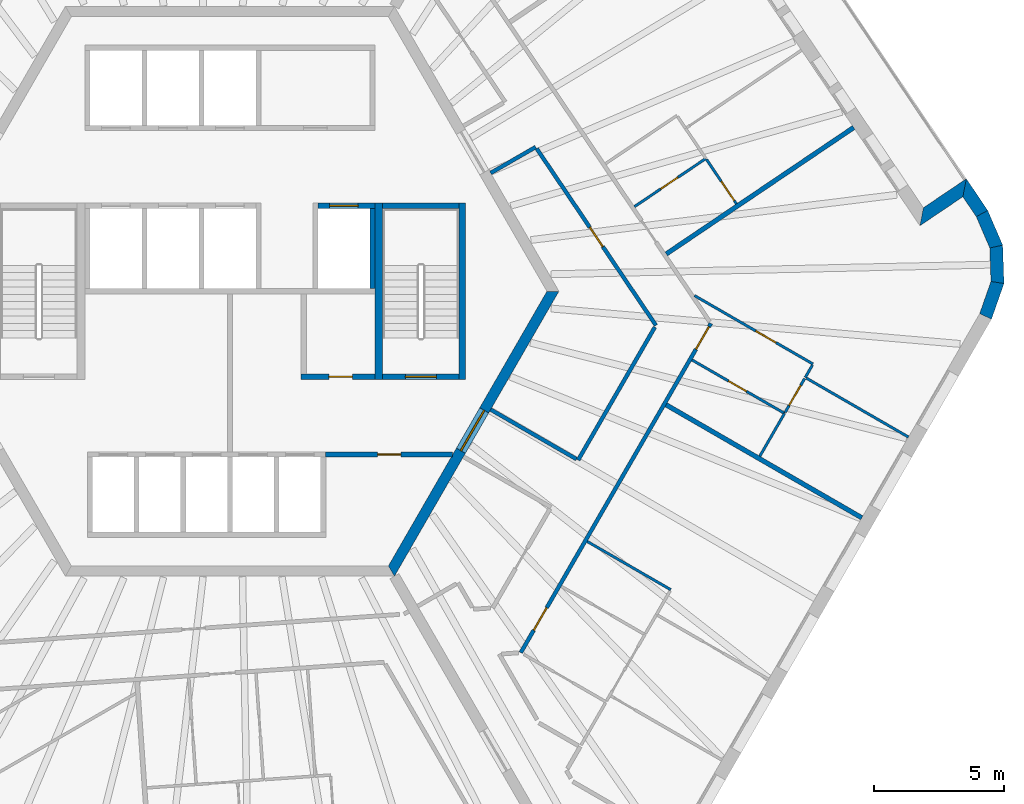
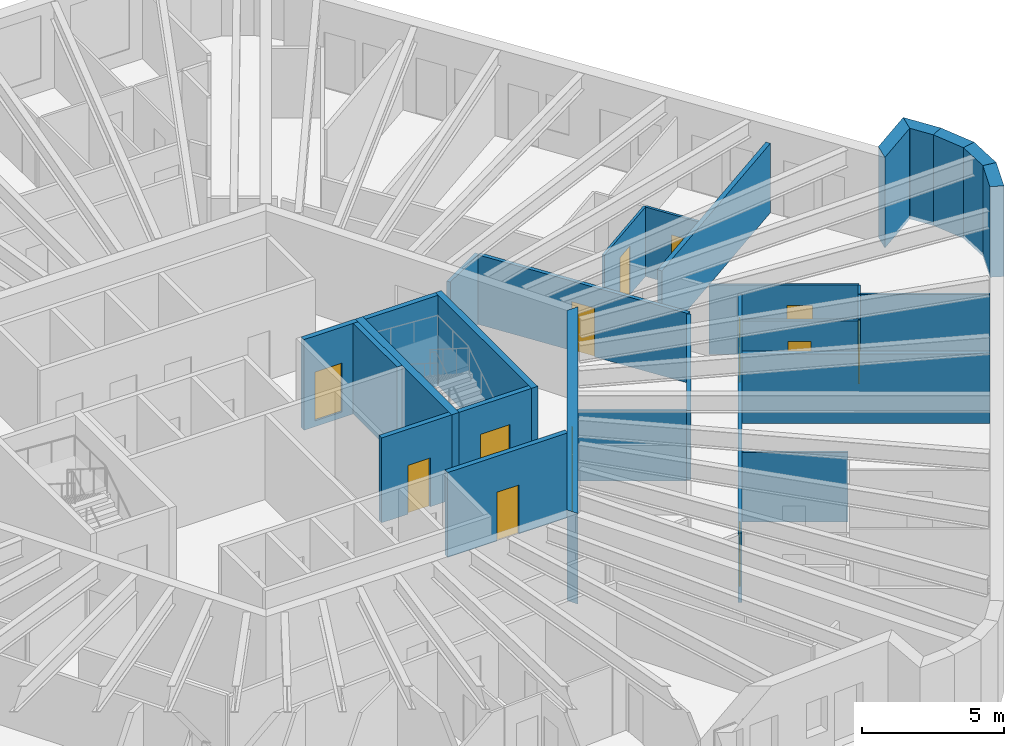
# One storey, part 7 of 12: 30 walls, 13 doors, 13 openings.
"""IFC4 building model written with IfcOpenShell, lengths in metres."""

from ifc_helpers import new_model, si_unit, direction, frame, frame_2d, origin, place, context, subcontext, project, spatial, polyline, rectangle, outline, extrude, material, layer, layer_set, type_object, element, fill, save


model = new_model("IFC4")

# Units and contexts
model_context = context("Model", 3, precision=1e-05, world=origin(), true_north=direction((0.0, 1.0)))
body_context = subcontext(model_context, "Body", "Model", "MODEL_VIEW")
ifc_project = project(units=[si_unit("LENGTHUNIT", "METRE"), si_unit("AREAUNIT", "SQUARE_METRE"), si_unit("VOLUMEUNIT", "CUBIC_METRE"), si_unit("PLANEANGLEUNIT", "RADIAN"), si_unit("MASSUNIT", "GRAM", prefix="KILO")], contexts=[model_context])

# Site, building, storey
site_placement = place(None, origin())
site = spatial("IfcSite", under=ifc_project, at=site_placement, CompositionType="ELEMENT")
building_placement = place(site_placement, origin())
building = spatial("IfcBuilding", under=site, at=building_placement, Name="Tarnside Tower", CompositionType="ELEMENT")
storey_placement = place(building_placement, frame((0.0, 0.0, 318.60009765625)))
storey = spatial("IfcBuildingStorey", under=building, at=storey_placement, Name="L77", CompositionType="ELEMENT", Elevation=318.60009765625)

# Wall
ifc_material_1 = material(Name="Gypsum board partition on steel studs", Category="steel")
ifc_layer_1 = layer(ifc_material_1, 0.10009765625)
ifc_layer_set_1 = layer_set([ifc_layer_1], Name="Bathroom wall 100")
wall_type_1 = type_object("IfcWallType", Name="Bathroom wall 100", PredefinedType="PARTITIONING", material=ifc_layer_set_1)
wall_1_placement = place(storey_placement, frame((13.7939453125, -9.657958984375, 0.0), z_axis=(0.0, 0.0, 1.0), x_axis=(0.866028424924, -0.499994767197, 0.0)))
element("IfcWall", 1, at=wall_1_placement, inside=storey, type_object=wall_type_1, Name="Bathroom wall 25146", PredefinedType="PARTITIONING", context=body_context, shape_type="SweptSolid", body=[
    extrude(rectangle(XDim=3.72509765625, YDim=0.10009765625, at=frame_2d((1.862548828125, 0.0))), origin(), (0.0, 0.0, 1.0), 2.98779296875),
])

# Wall, opening, door
wall_2_placement = place(storey_placement, frame((17.840087890625, -2.650146484375, 0.0), z_axis=(0.0, 0.0, 1.0), x_axis=(0.866019999656, -0.500009360108, 0.0)))
wall_2 = element("IfcWall", 2, at=wall_2_placement, inside=storey, type_object=wall_type_1, Name="Bathroom wall 25163", PredefinedType="PARTITIONING", context=body_context, shape_type="SweptSolid", body=[
    extrude(rectangle(XDim=4.125, YDim=0.10009765625, at=frame_2d((2.0625, 0.0))), origin(), (0.0, 0.0, 1.0), 2.98779296875),
])
opening_1_placement = place(wall_2_placement, frame((1.625, 0.0, 0.0)))
opening_1 = element("IfcOpeningElement", 3, at=opening_1_placement, cuts=wall_2, Name="Opening D-B1", PredefinedType="OPENING", context=body_context, shape_type="SweptSolid", body=[
    extrude(rectangle(XDim=0.800048828125, YDim=2.10009765625, at=frame_2d((0.39990234375, 1.050048828125))), frame((0.0, 0.06005859375, 0.0), z_axis=(0.0, -1.0, 0.0), x_axis=(1.0, 0.0, 0.0)), (0.0, 0.0, 1.0), 0.1201171875),
])
ifc_material_2 = material(Name="Timber door leaf", Category="wood")
door_type_1 = type_object("IfcDoorType", Name="Bathroom door 800", OperationType="NOTDEFINED", PredefinedType="DOOR", material=ifc_material_2)
door_1_placement = place(opening_1_placement, origin())
door_1 = element("IfcDoor", 4, at=door_1_placement, inside=storey, type_object=door_type_1, Name="Bathroom door 25058", OperationType="SINGLE_SWING_RIGHT", OverallHeight=2.10009765625, OverallWidth=0.800048828125, PredefinedType="DOOR", context=body_context, shape_type="SweptSolid", body=[
    extrude(rectangle(XDim=0.800048828125, YDim=2.10009765625, at=frame_2d((0.39990234375, 1.050048828125))), frame((0.0, 0.02490234375, 0.0), z_axis=(0.0, -1.0, 0.0), x_axis=(1.0, 0.0, 0.0)), (0.0, 0.0, 1.0), 0.050048828125),
])
fill(opening_1, door_1)

# Wall
wall_3_placement = place(storey_placement, frame((20.457275390625, -6.366943359375, 0.0), z_axis=(0.0, 0.0, 1.0), x_axis=(0.499984020225, 0.866034629516, 0.0)))
element("IfcWall", 5, at=wall_3_placement, inside=storey, type_object=wall_type_1, Name="Bathroom wall 25165", PredefinedType="PARTITIONING", context=body_context, shape_type="SweptSolid", body=[
    extrude(rectangle(XDim=1.912109375, YDim=0.10009765625, at=frame_2d((0.9560546875, 0.0))), origin(), (0.0, 0.0, 1.0), 2.98779296875),
])

# Wall, opening, door
wall_4_placement = place(storey_placement, frame((18.37451171875, 5.126708984375, 0.0), z_axis=(0.0, 0.0, 1.0), x_axis=(-0.82903334026, -0.559199178055, 0.0)))
wall_4 = element("IfcWall", 6, at=wall_4_placement, inside=storey, type_object=wall_type_1, Name="Bathroom wall 25170", PredefinedType="PARTITIONING", context=body_context, shape_type="SweptSolid", body=[
    extrude(rectangle(XDim=3.324951171875, YDim=0.10009765625, at=frame_2d((1.66259765625, 0.0))), origin(), (0.0, 0.0, 1.0), 2.98779296875),
])
opening_2_placement = place(wall_4_placement, frame((1.300048828125, 0.0, 0.0)))
opening_2 = element("IfcOpeningElement", 7, at=opening_2_placement, cuts=wall_4, Name="Opening D-B1", PredefinedType="OPENING", context=body_context, shape_type="SweptSolid", body=[
    extrude(rectangle(XDim=0.800048828125, YDim=2.10009765625, at=frame_2d((0.39990234375, 1.050048828125))), frame((0.0, 0.06005859375, 0.0), z_axis=(0.0, -1.0, 0.0), x_axis=(1.0, 0.0, 0.0)), (0.0, 0.0, 1.0), 0.1201171875),
])
door_2_placement = place(opening_2_placement, origin())
door_2 = element("IfcDoor", 8, at=door_2_placement, inside=storey, type_object=door_type_1, Name="Bathroom door 25062", OperationType="SINGLE_SWING_LEFT", OverallHeight=2.10009765625, OverallWidth=0.800048828125, PredefinedType="DOOR", context=body_context, shape_type="SweptSolid", body=[
    extrude(rectangle(XDim=0.800048828125, YDim=2.10009765625, at=frame_2d((0.39990234375, 1.050048828125))), frame((0.0, 0.02490234375, 0.0), z_axis=(0.0, -1.0, 0.0), x_axis=(1.0, 0.0, 0.0)), (0.0, 0.0, 1.0), 0.050048828125),
])
fill(opening_2, door_2)

ifc_material_3 = material(Name="Concrete C40/50", Category="concrete")
ifc_layer_2 = layer(ifc_material_3, 0.199951171875)
ifc_layer_set_2 = layer_set([ifc_layer_2], Name="Core room partition 200 C40/50")
wall_type_2 = type_object("IfcWallType", Name="Core room partition 200 C40/50", PredefinedType="PARTITIONING", material=ifc_layer_set_2)
wall_5_placement = place(storey_placement, frame((2.75, -3.300048828125, 0.0), z_axis=(0.0, 0.0, 1.0), x_axis=(1.0, 0.0, 0.0)))
wall_5 = element("IfcWall", 9, at=wall_5_placement, inside=storey, type_object=wall_type_2, Name="L77 core partition R3S1", PredefinedType="PARTITIONING", context=body_context, shape_type="SweptSolid", body=[
    extrude(rectangle(XDim=2.85009765625, YDim=0.199951171875, at=frame_2d((1.425048828125, 0.0))), origin(), (0.0, 0.0, 1.0), 3.64990234375),
])
opening_3_placement = place(wall_5_placement, frame((1.074951171875, 0.0, 0.0)))
opening_3 = element("IfcOpeningElement", 10, at=opening_3_placement, cuts=wall_5, Name="Opening CD-room", PredefinedType="OPENING", context=body_context, shape_type="SweptSolid", body=[
    extrude(rectangle(XDim=0.89990234375, YDim=2.10009765625, at=frame_2d((0.449951171875, 1.050048828125))), frame((0.0, 0.10986328125, 0.0), z_axis=(0.0, -1.0, 0.0), x_axis=(1.0, 0.0, 0.0)), (0.0, 0.0, 1.0), 0.219970703125),
])
ifc_material_4 = material(Name="Steel fire door", Category="steel")
door_type_2 = type_object("IfcDoorType", Name="Room door FD60 900x2100", OperationType="NOTDEFINED", PredefinedType="DOOR", material=ifc_material_4)
door_3_placement = place(opening_3_placement, origin())
door_3 = element("IfcDoor", 11, at=door_3_placement, inside=storey, type_object=door_type_2, Name="L77 core room door SR1", OperationType="SINGLE_SWING_LEFT", OverallHeight=2.10009765625, OverallWidth=0.89990234375, PredefinedType="DOOR", context=body_context, shape_type="SweptSolid", body=[
    extrude(rectangle(XDim=0.89990234375, YDim=2.10009765625, at=frame_2d((0.449951171875, 1.050048828125))), frame((0.0, 0.02490234375, 0.0), z_axis=(0.0, -1.0, 0.0), x_axis=(1.0, 0.0, 0.0)), (0.0, 0.0, 1.0), 0.050048828125),
])
fill(opening_3, door_3)

wall_6_placement = place(storey_placement, frame((3.699951171875, -6.300048828125, 0.0), z_axis=(0.0, 0.0, 1.0), x_axis=(1.0, 0.0, 0.0)))
wall_6 = element("IfcWall", 12, at=wall_6_placement, inside=storey, type_object=wall_type_2, Name="L77 core partition R4X", PredefinedType="PARTITIONING", context=body_context, shape_type="SweptSolid", body=[
    extrude(rectangle(XDim=4.902587890625, YDim=0.199951171875, at=frame_2d((2.451171875, 0.0))), origin(), (0.0, 0.0, 1.0), 3.64990234375),
])
opening_4_placement = place(wall_6_placement, frame((2.001220703125, 0.0, 0.0)))
opening_4 = element("IfcOpeningElement", 13, at=opening_4_placement, cuts=wall_6, Name="Opening CD-room", PredefinedType="OPENING", context=body_context, shape_type="SweptSolid", body=[
    extrude(rectangle(XDim=0.89990234375, YDim=2.10009765625, at=frame_2d((0.449951171875, 1.050048828125))), frame((0.0, 0.10986328125, 0.0), z_axis=(0.0, -1.0, 0.0), x_axis=(1.0, 0.0, 0.0)), (0.0, 0.0, 1.0), 0.219970703125),
])
door_4_placement = place(opening_4_placement, origin())
door_4 = element("IfcDoor", 14, at=door_4_placement, inside=storey, type_object=door_type_2, Name="L77 core room door RX", OperationType="SINGLE_SWING_LEFT", OverallHeight=2.10009765625, OverallWidth=0.89990234375, PredefinedType="DOOR", context=body_context, shape_type="SweptSolid", body=[
    extrude(rectangle(XDim=0.89990234375, YDim=2.10009765625, at=frame_2d((0.449951171875, 1.050048828125))), frame((0.0, 0.02490234375, 0.0), z_axis=(0.0, -1.0, 0.0), x_axis=(1.0, 0.0, 0.0)), (0.0, 0.0, 1.0), 0.050048828125),
])
fill(opening_4, door_4)

ifc_material_5 = material(Name="Concrete C60/75", Category="concrete")
ifc_layer_3 = layer(ifc_material_5, 0.39990234375)
ifc_layer_set_3 = layer_set([ifc_layer_3], Name="Core wall Z3 400 C60/75")
wall_type_3 = type_object("IfcWallType", Name="Core wall Z3 400 C60/75", PredefinedType="SHEAR", material=ifc_layer_set_3)
wall_7_placement = place(storey_placement, frame((6.2353515625, -10.800048828125, -0.150146484375), z_axis=(0.0, 0.0, 1.0), x_axis=(0.499996419489, 0.866027470984, 0.0)))
wall_7 = element("IfcWall", 15, at=wall_7_placement, inside=storey, type_object=wall_type_3, Name="L77 core wall face 5", PredefinedType="SHEAR", context=body_context, shape_type="SweptSolid", body=[
    extrude(outline(polyline([(-0.115478515625, -0.199951171875), (12.586181640625, -0.199951171875), (12.355224609375, 0.199951171875), (0.115478515625, 0.199951171875), (-0.115478515625, -0.199951171875)])), origin(), (0.0, 0.0, 1.0), 3.900146484375),
])
opening_5_placement = place(wall_7_placement, frame((5.3642578125, 0.0, 0.14990234375)))
opening_5 = element("IfcOpeningElement", 16, at=opening_5_placement, cuts=wall_7, Name="Opening CD-FFL", PredefinedType="OPENING", context=body_context, shape_type="SweptSolid", body=[
    extrude(rectangle(XDim=1.800048828125, YDim=2.39990234375, at=frame_2d((0.89990234375, 1.199951171875))), frame((0.0, 0.2099609375, 0.0), z_axis=(0.0, -1.0, 0.0), x_axis=(1.0, 0.0, 0.0)), (0.0, 0.0, 1.0), 0.419921875),
])
door_type_3 = type_object("IfcDoorType", Name="Firefighting lobby double door FD60S 1800x2400", OperationType="NOTDEFINED", PredefinedType="DOOR", material=ifc_material_4)
door_5_placement = place(opening_5_placement, origin())
door_5 = element("IfcDoor", 17, at=door_5_placement, inside=storey, type_object=door_type_3, Name="L77 core door P4", OperationType="DOUBLE_DOOR_SINGLE_SWING", OverallHeight=2.39990234375, OverallWidth=1.800048828125, PredefinedType="DOOR", context=body_context, shape_type="SweptSolid", body=[
    extrude(rectangle(XDim=1.800048828125, YDim=2.39990234375, at=frame_2d((0.89990234375, 1.199951171875))), frame((0.0, 0.02490234375, 0.0), z_axis=(0.0, -1.0, 0.0), x_axis=(1.0, 0.0, 0.0)), (0.0, 0.0, 1.0), 0.050048828125),
])
fill(opening_5, door_5)

# Wall, openings, doors
ifc_layer_4 = layer(ifc_material_1, 0.14990234375)
ifc_layer_set_4 = layer_set([ifc_layer_4], Name="Corridor wall 150 EI 60")
wall_type_4 = type_object("IfcWallType", Name="Corridor wall 150 EI 60", PredefinedType="PARTITIONING", material=ifc_layer_set_4)
wall_8_placement = place(storey_placement, frame((11.22900390625, -13.95068359375, 0.0), z_axis=(0.0, 0.0, 1.0), x_axis=(0.499997948852, 0.866026588012, 0.0)))
wall_8 = element("IfcWall", 18, at=wall_8_placement, inside=storey, type_object=wall_type_4, Name="Corridor wall 25053", PredefinedType="PARTITIONING", context=body_context, shape_type="SweptSolid", body=[
    extrude(rectangle(XDim=14.67724609375, YDim=0.14990234375, at=frame_2d((7.338623046875, 0.0))), origin(), (0.0, 0.0, 1.0), 2.98779296875),
])
opening_6_placement = place(wall_8_placement, frame((1.0, 0.0, 0.0)))
opening_6 = element("IfcOpeningElement", 19, at=opening_6_placement, cuts=wall_8, Name="Opening D-E1", PredefinedType="OPENING", context=body_context, shape_type="SweptSolid", body=[
    extrude(rectangle(XDim=1.0, YDim=2.10009765625, at=frame_2d((0.5, 1.050048828125))), frame((0.0, 0.0849609375, 0.0), z_axis=(0.0, -1.0, 0.0), x_axis=(1.0, 0.0, 0.0)), (0.0, 0.0, 1.0), 0.169921875),
])
opening_7_placement = place(wall_8_placement, frame((13.52734375, 0.0, 0.0)))
opening_7 = element("IfcOpeningElement", 20, at=opening_7_placement, cuts=wall_8, Name="Opening D-E1", PredefinedType="OPENING", context=body_context, shape_type="SweptSolid", body=[
    extrude(rectangle(XDim=1.0, YDim=2.10009765625, at=frame_2d((0.5, 1.050048828125))), frame((0.0, 0.0849609375, 0.0), z_axis=(0.0, -1.0, 0.0), x_axis=(1.0, 0.0, 0.0)), (0.0, 0.0, 1.0), 0.169921875),
])
door_type_4 = type_object("IfcDoorType", Name="Unit entrance door 1000 FD30S", OperationType="NOTDEFINED", PredefinedType="DOOR", material=ifc_material_2)
door_6_placement = place(opening_6_placement, origin())
door_6 = element("IfcDoor", 21, at=door_6_placement, inside=storey, type_object=door_type_4, Name="Unit door 25047", OperationType="SINGLE_SWING_RIGHT", OverallHeight=2.10009765625, OverallWidth=1.0, PredefinedType="DOOR", context=body_context, shape_type="SweptSolid", body=[
    extrude(rectangle(XDim=1.0, YDim=2.10009765625, at=frame_2d((0.5, 1.050048828125))), frame((0.0, 0.02490234375, 0.0), z_axis=(0.0, -1.0, 0.0), x_axis=(1.0, 0.0, 0.0)), (0.0, 0.0, 1.0), 0.050048828125),
])
fill(opening_6, door_6)
door_7_placement = place(opening_7_placement, origin())
door_7 = element("IfcDoor", 22, at=door_7_placement, inside=storey, type_object=door_type_4, Name="Unit door 25057", OperationType="SINGLE_SWING_LEFT", OverallHeight=2.10009765625, OverallWidth=1.0, PredefinedType="DOOR", context=body_context, shape_type="SweptSolid", body=[
    extrude(rectangle(XDim=1.0, YDim=2.10009765625, at=frame_2d((0.5, 1.050048828125))), frame((0.0, 0.02490234375, 0.0), z_axis=(0.0, -1.0, 0.0), x_axis=(1.0, 0.0, 0.0)), (0.0, 0.0, 1.0), 0.050048828125),
])
fill(opening_7, door_7)

# Wall
wall_9_placement = place(storey_placement, frame((10.065673828125, 4.565673828125, 0.0), z_axis=(0.0, 0.0, 1.0), x_axis=(0.866033651025, 0.499985715088, 0.0)))
element("IfcWall", 23, at=wall_9_placement, inside=storey, type_object=wall_type_4, Name="Corridor wall 25073", PredefinedType="PARTITIONING", context=body_context, shape_type="SweptSolid", body=[
    extrude(rectangle(XDim=2.0068359375, YDim=0.14990234375, at=frame_2d((1.00341796875, 0.0))), origin(), (0.0, 0.0, 1.0), 2.98779296875),
])

# Wall, opening, door
wall_10_placement = place(storey_placement, frame((11.845703125, 5.5068359375, 0.0), z_axis=(0.0, 0.0, 1.0), x_axis=(0.559204754045, -0.829029579119, 0.0)))
wall_10 = element("IfcWall", 24, at=wall_10_placement, inside=storey, type_object=wall_type_4, Name="Corridor wall 25074", PredefinedType="PARTITIONING", context=body_context, shape_type="SweptSolid", body=[
    extrude(rectangle(XDim=8.2275390625, YDim=0.14990234375, at=frame_2d((4.11376953125, 0.0))), origin(), (0.0, 0.0, 1.0), 2.98779296875),
])
opening_8_placement = place(wall_10_placement, frame((3.66357421875, 0.0, 0.0)))
opening_8 = element("IfcOpeningElement", 25, at=opening_8_placement, cuts=wall_10, Name="Opening D-S1", PredefinedType="OPENING", context=body_context, shape_type="SweptSolid", body=[
    extrude(rectangle(XDim=0.89990234375, YDim=2.10009765625, at=frame_2d((0.449951171875, 1.050048828125))), frame((0.0, 0.0849609375, 0.0), z_axis=(0.0, -1.0, 0.0), x_axis=(1.0, 0.0, 0.0)), (0.0, 0.0, 1.0), 0.169921875),
])
door_type_5 = type_object("IfcDoorType", Name="Service room door 900 FD30S", OperationType="NOTDEFINED", PredefinedType="DOOR", material=ifc_material_2)
door_8_placement = place(opening_8_placement, origin())
door_8 = element("IfcDoor", 26, at=door_8_placement, inside=storey, type_object=door_type_5, Name="Service door 25075", OperationType="SINGLE_SWING_LEFT", OverallHeight=2.10009765625, OverallWidth=0.89990234375, PredefinedType="DOOR", context=body_context, shape_type="SweptSolid", body=[
    extrude(rectangle(XDim=0.89990234375, YDim=2.10009765625, at=frame_2d((0.449951171875, 1.050048828125))), frame((0.0, 0.02490234375, 0.0), z_axis=(0.0, -1.0, 0.0), x_axis=(1.0, 0.0, 0.0)), (0.0, 0.0, 1.0), 0.050048828125),
])
fill(opening_8, door_8)

# Walls
wall_11_placement = place(storey_placement, frame((16.40478515625, -1.38623046875, 0.0), z_axis=(0.0, 0.0, 1.0), x_axis=(-0.500026921216, -0.866009860255, 0.0)))
element("IfcWall", 27, at=wall_11_placement, inside=storey, type_object=wall_type_4, Name="Corridor wall 25075", PredefinedType="PARTITIONING", context=body_context, shape_type="SweptSolid", body=[
    extrude(rectangle(XDim=5.923095703125, YDim=0.14990234375, at=frame_2d((2.96142578125, 0.0))), origin(), (0.0, 0.0, 1.0), 2.98779296875),
])
wall_12_placement = place(storey_placement, frame((13.378173828125, -6.478271484375, 0.0), z_axis=(0.0, 0.0, 1.0), x_axis=(-0.866011265228, 0.500024487898, 0.0)))
element("IfcWall", 28, at=wall_12_placement, inside=storey, type_object=wall_type_4, Name="Corridor wall 25076", PredefinedType="PARTITIONING", context=body_context, shape_type="SweptSolid", body=[
    extrude(rectangle(XDim=3.824951171875, YDim=0.14990234375, at=frame_2d((1.91259765625, 0.0))), origin(), (0.0, 0.0, 1.0), 2.98779296875),
])
ifc_layer_5 = layer(ifc_material_1, 0.179931640625)
ifc_layer_set_5 = layer_set([ifc_layer_5], Name="Demising wall 180 EI 60")
wall_type_5 = type_object("IfcWallType", Name="Demising wall 180 EI 60", PredefinedType="PARTITIONING", material=ifc_layer_set_5)
wall_13_placement = place(storey_placement, frame((24.39599609375, -8.744873046875, 0.0), z_axis=(0.0, 0.0, 1.0), x_axis=(-0.866018297078, 0.500012308975, 0.0)))
element("IfcWall", 29, at=wall_13_placement, inside=storey, type_object=wall_type_5, Name="Demising wall 25149", PredefinedType="PARTITIONING", context=body_context, shape_type="SweptSolid", body=[
    extrude(rectangle(XDim=8.724853515625, YDim=0.179931640625, at=frame_2d((4.3623046875, 0.0))), origin(), (0.0, 0.0, 1.0), 2.98779296875),
])
wall_14_placement = place(storey_placement, frame((24.08154296875, 6.322509765625, 0.0), z_axis=(0.0, 0.0, 1.0), x_axis=(-0.829028989438, -0.559205628254, 0.0)))
element("IfcWall", 30, at=wall_14_placement, inside=storey, type_object=wall_type_5, Name="Demising wall 25161", PredefinedType="PARTITIONING", context=body_context, shape_type="SweptSolid", body=[
    extrude(rectangle(XDim=8.72509765625, YDim=0.179931640625, at=frame_2d((4.362548828125, 0.0))), origin(), (0.0, 0.0, 1.0), 2.98779296875),
])

# Wall, opening, door
ifc_layer_6 = layer(ifc_material_3, 0.199951171875)
ifc_layer_set_6 = layer_set([ifc_layer_6], Name="Lift shaft wall 200 C40/50")
wall_type_6 = type_object("IfcWallType", Name="Lift shaft wall 200 C40/50", PredefinedType="SHEAR", material=ifc_layer_set_6)
wall_15_placement = place(storey_placement, frame((3.39990234375, 3.300048828125, -0.25), z_axis=(0.0, 0.0, 1.0), x_axis=(1.0, 0.0, 0.0)))
wall_15 = element("IfcWall", 31, at=wall_15_placement, inside=storey, type_object=wall_type_6, Name="L77 lift shaft front wall R2 2", PredefinedType="SHEAR", context=body_context, shape_type="SweptSolid", body=[
    extrude(rectangle(XDim=2.2001953125, YDim=0.199951171875, at=frame_2d((1.10009765625, 0.0))), origin(), (0.0, 0.0, 1.0), 3.89990234375),
])
opening_9_placement = place(wall_15_placement, frame((0.449951171875, 0.0, 0.25)))
opening_9 = element("IfcOpeningElement", 32, at=opening_9_placement, cuts=wall_15, Name="Opening LD", PredefinedType="OPENING", context=body_context, shape_type="SweptSolid", body=[
    extrude(rectangle(XDim=1.10009765625, YDim=2.10009765625, at=frame_2d((0.550048828125, 1.050048828125))), frame((0.0, 0.10986328125, 0.0), z_axis=(0.0, -1.0, 0.0), x_axis=(1.0, 0.0, 0.0)), (0.0, 0.0, 1.0), 0.219970703125),
])
ifc_material_6 = material(Name="Stainless steel", Category="steel")
door_type_6 = type_object("IfcDoorType", Name="Lift landing door 1100x2100", OperationType="NOTDEFINED", PredefinedType="DOOR", material=ifc_material_6)
door_9_placement = place(opening_9_placement, origin())
door_9 = element("IfcDoor", 33, at=door_9_placement, inside=storey, type_object=door_type_6, Name="Express sky-lobby shuttle 2 landing door L77", OperationType="SLIDING_TO_LEFT", OverallHeight=2.10009765625, OverallWidth=1.10009765625, PredefinedType="DOOR", context=body_context, shape_type="SweptSolid", body=[
    extrude(rectangle(XDim=1.10009765625, YDim=2.10009765625, at=frame_2d((0.550048828125, 1.050048828125))), frame((0.0, 0.02490234375, 0.0), z_axis=(0.0, -1.0, 0.0), x_axis=(1.0, 0.0, 0.0)), (0.0, 0.0, 1.0), 0.050048828125),
])
fill(opening_9, door_9)

# Walls
wall_16_placement = place(storey_placement, frame((5.5, 0.10009765625, -0.25), z_axis=(0.0, 0.0, 1.0), x_axis=(0.0, 1.0, 0.0)))
element("IfcWall", 34, at=wall_16_placement, inside=storey, type_object=wall_type_6, Name="L77 lift shaft partition R26", PredefinedType="SHEAR", context=body_context, shape_type="SweptSolid", body=[
    extrude(rectangle(XDim=3.099853515625, YDim=0.199951171875, at=frame_2d((1.5498046875, 0.0))), origin(), (0.0, 0.0, 1.0), 3.89990234375),
])
wall_17_placement = place(storey_placement, frame((5.89990234375, 3.300048828125, -0.25), z_axis=(0.0, 0.0, 1.0), x_axis=(1.0, 0.0, 0.0)))
element("IfcWall", 35, at=wall_17_placement, inside=storey, type_object=wall_type_6, Name="L77 stair 1 enclosure cap wall n", PredefinedType="SHEAR", context=body_context, shape_type="SweptSolid", body=[
    extrude(rectangle(XDim=2.9501953125, YDim=0.199951171875, at=frame_2d((1.47509765625, 0.0))), origin(), (0.0, 0.0, 1.0), 3.89990234375),
])

# Wall, opening, door
wall_18_placement = place(storey_placement, frame((5.89990234375, -3.300048828125, -0.25), z_axis=(0.0, 0.0, 1.0), x_axis=(1.0, 0.0, 0.0)))
wall_18 = element("IfcWall", 36, at=wall_18_placement, inside=storey, type_object=wall_type_6, Name="L77 stair 1 enclosure cap wall s", PredefinedType="SHEAR", context=body_context, shape_type="SweptSolid", body=[
    extrude(rectangle(XDim=2.9501953125, YDim=0.199951171875, at=frame_2d((1.47509765625, 0.0))), origin(), (0.0, 0.0, 1.0), 3.89990234375),
])
opening_10_placement = place(wall_18_placement, frame((0.875, 0.0, 0.25)))
opening_10 = element("IfcOpeningElement", 37, at=opening_10_placement, cuts=wall_18, Name="Opening CD-STR", PredefinedType="OPENING", context=body_context, shape_type="SweptSolid", body=[
    extrude(rectangle(XDim=1.199951171875, YDim=2.39990234375, at=frame_2d((0.60009765625, 1.199951171875))), frame((0.0, 0.10986328125, 0.0), z_axis=(0.0, -1.0, 0.0), x_axis=(1.0, 0.0, 0.0)), (0.0, 0.0, 1.0), 0.219970703125),
])
door_type_7 = type_object("IfcDoorType", Name="Stair door FD60S 1200x2400", OperationType="NOTDEFINED", PredefinedType="DOOR", material=ifc_material_4)
door_10_placement = place(opening_10_placement, origin())
door_10 = element("IfcDoor", 38, at=door_10_placement, inside=storey, type_object=door_type_7, Name="L77 stair 1 door", OperationType="SINGLE_SWING_LEFT", OverallHeight=2.39990234375, OverallWidth=1.199951171875, PredefinedType="DOOR", context=body_context, shape_type="SweptSolid", body=[
    extrude(rectangle(XDim=1.199951171875, YDim=2.39990234375, at=frame_2d((0.60009765625, 1.199951171875))), frame((0.0, 0.02490234375, 0.0), z_axis=(0.0, -1.0, 0.0), x_axis=(1.0, 0.0, 0.0)), (0.0, 0.0, 1.0), 0.050048828125),
])
fill(opening_10, door_10)

# Walls
ifc_material_7 = material(Name="Dark zinc cladding")
ifc_layer_7 = layer(ifc_material_7, 0.10205078125)
ifc_material_8 = material(Name="Concrete C60/75 precast", Category="concrete")
ifc_layer_8 = layer(ifc_material_8, 0.298095703125)
ifc_material_9 = material(Name="Mineral wool insulation")
ifc_layer_9 = layer(ifc_material_9, 0.10009765625)
ifc_layer_set_7 = layer_set([ifc_layer_7, ifc_layer_8, ifc_layer_9], Name="Loggia wall 500 zinc faced")
wall_type_7 = type_object("IfcWallType", Name="Loggia wall 500 zinc faced", PredefinedType="SOLIDWALL", material=ifc_layer_set_7)
wall_19_placement = place(storey_placement, frame((29.034912109375, 3.00244140625, -0.150146484375), z_axis=(0.0, 0.0, 1.0), x_axis=(-0.559200218553, 0.829032638423, 0.0)))
element("IfcWall", 39, at=wall_19_placement, inside=storey, type_object=wall_type_7, Name="Tube wall L77 F6 stub 28", PredefinedType="SOLIDWALL", context=body_context, shape_type="SweptSolid", body=[
    extrude(outline(polyline([(-0.0234375, -0.25), (1.44970703125, -0.25), (0.94970703125, 0.25), (0.0234375, 0.25), (-0.0234375, -0.25)])), origin(), (0.0, 0.0, 1.0), 3.900146484375),
])
wall_20_placement = place(storey_placement, frame((28.364013671875, 3.9970703125, -0.150146484375), z_axis=(0.0, 0.0, 1.0), x_axis=(-0.829108975345, -0.5590870299, 0.0)))
element("IfcWall", 40, at=wall_20_placement, inside=storey, type_object=wall_type_7, Name="Tube wall L77 F6 return 29", PredefinedType="SOLIDWALL", context=body_context, shape_type="SweptSolid", body=[
    extrude(outline(polyline([(-0.25, -0.25), (1.75, -0.25), (2.25, 0.25), (0.25, 0.25), (-0.25, -0.25)])), origin(), (0.0, 0.0, 1.0), 3.900146484375),
])

# Wall, opening, door
ifc_layer_10 = layer(ifc_material_1, 0.10009765625)
ifc_layer_set_8 = layer_set([ifc_layer_10], Name="Partition 100")
wall_type_8 = type_object("IfcWallType", Name="Partition 100", PredefinedType="PARTITIONING", material=ifc_layer_set_8)
wall_21_placement = place(storey_placement, frame((17.931640625, -0.162841796875, 0.0), z_axis=(0.0, 0.0, 1.0), x_axis=(0.866021868245, -0.500006123685, 0.0)))
wall_21 = element("IfcWall", 41, at=wall_21_placement, inside=storey, type_object=wall_type_8, Name="Partition wall 25158", PredefinedType="PARTITIONING", context=body_context, shape_type="SweptSolid", body=[
    extrude(rectangle(XDim=5.28955078125, YDim=0.10009765625, at=frame_2d((2.644775390625, 0.0))), origin(), (0.0, 0.0, 1.0), 2.98779296875),
])
opening_11_placement = place(wall_21_placement, frame((2.7392578125, 0.0, 0.0)))
opening_11 = element("IfcOpeningElement", 42, at=opening_11_placement, cuts=wall_21, Name="Opening D-I1", PredefinedType="OPENING", context=body_context, shape_type="SweptSolid", body=[
    extrude(rectangle(XDim=0.89990234375, YDim=2.10009765625, at=frame_2d((0.449951171875, 1.050048828125))), frame((0.0, 0.06005859375, 0.0), z_axis=(0.0, -1.0, 0.0), x_axis=(1.0, 0.0, 0.0)), (0.0, 0.0, 1.0), 0.1201171875),
])
door_type_8 = type_object("IfcDoorType", Name="Internal door 900", OperationType="NOTDEFINED", PredefinedType="DOOR", material=ifc_material_2)
door_11_placement = place(opening_11_placement, origin())
door_11 = element("IfcDoor", 43, at=door_11_placement, inside=storey, type_object=door_type_8, Name="Internal door 25059", OperationType="SINGLE_SWING_LEFT", OverallHeight=2.10009765625, OverallWidth=0.89990234375, PredefinedType="DOOR", context=body_context, shape_type="SweptSolid", body=[
    extrude(rectangle(XDim=0.89990234375, YDim=2.10009765625, at=frame_2d((0.449951171875, 1.050048828125))), frame((0.0, 0.02490234375, 0.0), z_axis=(0.0, -1.0, 0.0), x_axis=(1.0, 0.0, 0.0)), (0.0, 0.0, 1.0), 0.050048828125),
])
fill(opening_11, door_11)

# Walls
wall_22_placement = place(storey_placement, frame((22.4873046875, -2.850830078125, 0.0), z_axis=(0.0, 0.0, 1.0), x_axis=(-0.499850094852, -0.866111934265, 0.0)))
element("IfcWall", 44, at=wall_22_placement, inside=storey, type_object=wall_type_8, Name="Partition wall 25159", PredefinedType="PARTITIONING", context=body_context, shape_type="SweptSolid", body=[
    extrude(rectangle(XDim=0.552001953125, YDim=0.10009765625, at=frame_2d((0.27587890625, 0.0))), origin(), (0.0, 0.0, 1.0), 2.98779296875),
])
wall_23_placement = place(storey_placement, frame((22.255615234375, -3.35205078125, 0.0), z_axis=(0.0, 0.0, 1.0), x_axis=(0.866012237902, -0.500022803284, 0.0)))
element("IfcWall", 45, at=wall_23_placement, inside=storey, type_object=wall_type_8, Name="Partition wall 25160", PredefinedType="PARTITIONING", context=body_context, shape_type="SweptSolid", body=[
    extrude(rectangle(XDim=4.550048828125, YDim=0.10009765625, at=frame_2d((2.27490234375, 0.0))), origin(), (0.0, 0.0, 1.0), 2.98779296875),
])

# Wall, opening, door
wall_24_placement = place(storey_placement, frame((21.436279296875, -4.671142578125, 0.0), z_axis=(0.0, 0.0, 1.0), x_axis=(0.499985098601, 0.86603400694, 0.0)))
wall_24 = element("IfcWall", 46, at=wall_24_placement, inside=storey, type_object=wall_type_8, Name="Partition wall 25164", PredefinedType="PARTITIONING", context=body_context, shape_type="SweptSolid", body=[
    extrude(rectangle(XDim=1.501953125, YDim=0.10009765625, at=frame_2d((0.7509765625, 0.0))), origin(), (0.0, 0.0, 1.0), 2.98779296875),
])
opening_12_placement = place(wall_24_placement, frame((0.302001953125, 0.0, 0.0)))
opening_12 = element("IfcOpeningElement", 47, at=opening_12_placement, cuts=wall_24, Name="Opening D-I1", PredefinedType="OPENING", context=body_context, shape_type="SweptSolid", body=[
    extrude(rectangle(XDim=0.89990234375, YDim=2.10009765625, at=frame_2d((0.449951171875, 1.050048828125))), frame((0.0, 0.06005859375, 0.0), z_axis=(0.0, -1.0, 0.0), x_axis=(1.0, 0.0, 0.0)), (0.0, 0.0, 1.0), 0.1201171875),
])
door_12_placement = place(opening_12_placement, origin())
door_12 = element("IfcDoor", 48, at=door_12_placement, inside=storey, type_object=door_type_8, Name="Internal door 25060", OperationType="SINGLE_SWING_LEFT", OverallHeight=2.10009765625, OverallWidth=0.89990234375, PredefinedType="DOOR", context=body_context, shape_type="SweptSolid", body=[
    extrude(rectangle(XDim=0.89990234375, YDim=2.10009765625, at=frame_2d((0.449951171875, 1.050048828125))), frame((0.0, 0.02490234375, 0.0), z_axis=(0.0, -1.0, 0.0), x_axis=(1.0, 0.0, 0.0)), (0.0, 0.0, 1.0), 0.050048828125),
])
fill(opening_12, door_12)

wall_25_placement = place(storey_placement, frame((19.554443359375, 3.37744140625, 0.0), z_axis=(0.0, 0.0, 1.0), x_axis=(-0.559200338399, 0.829032557584, 0.0)))
wall_25 = element("IfcWall", 49, at=wall_25_placement, inside=storey, type_object=wall_type_8, Name="Partition wall 25171", PredefinedType="PARTITIONING", context=body_context, shape_type="SweptSolid", body=[
    extrude(rectangle(XDim=2.06201171875, YDim=0.10009765625, at=frame_2d((1.031005859375, 0.0))), origin(), (0.0, 0.0, 1.0), 2.98779296875),
])
opening_13_placement = place(wall_25_placement, frame((0.14990234375, 0.0, 0.0)))
opening_13 = element("IfcOpeningElement", 50, at=opening_13_placement, cuts=wall_25, Name="Opening D-I1", PredefinedType="OPENING", context=body_context, shape_type="SweptSolid", body=[
    extrude(rectangle(XDim=0.89990234375, YDim=2.10009765625, at=frame_2d((0.449951171875, 1.050048828125))), frame((0.0, 0.06005859375, 0.0), z_axis=(0.0, -1.0, 0.0), x_axis=(1.0, 0.0, 0.0)), (0.0, 0.0, 1.0), 0.1201171875),
])
door_13_placement = place(opening_13_placement, origin())
door_13 = element("IfcDoor", 51, at=door_13_placement, inside=storey, type_object=door_type_8, Name="Internal door 25064", OperationType="SINGLE_SWING_LEFT", OverallHeight=2.10009765625, OverallWidth=0.89990234375, PredefinedType="DOOR", context=body_context, shape_type="SweptSolid", body=[
    extrude(rectangle(XDim=0.89990234375, YDim=2.10009765625, at=frame_2d((0.449951171875, 1.050048828125))), frame((0.0, 0.02490234375, 0.0), z_axis=(0.0, -1.0, 0.0), x_axis=(1.0, 0.0, 0.0)), (0.0, 0.0, 1.0), 0.050048828125),
])
fill(opening_13, door_13)

# Walls
ifc_layer_11 = layer(ifc_material_3, 0.25)
ifc_layer_set_9 = layer_set([ifc_layer_11], Name="Stair enclosure wall 250 C40/50")
wall_type_9 = type_object("IfcWallType", Name="Stair enclosure wall 250 C40/50", PredefinedType="SHEAR", material=ifc_layer_set_9)
wall_26_placement = place(storey_placement, frame((8.97509765625, -3.39990234375, -0.25), z_axis=(0.0, 0.0, 1.0), x_axis=(0.0, 1.0, 0.0)))
element("IfcWall", 52, at=wall_26_placement, inside=storey, type_object=wall_type_9, Name="L77 stair 1 enclosure wall outer", PredefinedType="SHEAR", context=body_context, shape_type="SweptSolid", body=[
    extrude(rectangle(XDim=6.7998046875, YDim=0.25, at=frame_2d((3.39990234375, 0.0))), origin(), (0.0, 0.0, 1.0), 3.89990234375),
])
ifc_layer_12 = layer(ifc_material_3, 0.300048828125)
ifc_layer_set_10 = layer_set([ifc_layer_12], Name="Stair enclosure wall 300 C40/50")
wall_type_10 = type_object("IfcWallType", Name="Stair enclosure wall 300 C40/50", PredefinedType="SHEAR", material=ifc_layer_set_10)
wall_27_placement = place(storey_placement, frame((5.75, -3.39990234375, -0.25), z_axis=(0.0, 0.0, 1.0), x_axis=(0.0, 1.0, 0.0)))
element("IfcWall", 53, at=wall_27_placement, inside=storey, type_object=wall_type_10, Name="L77 stair 1 enclosure wall inner", PredefinedType="SHEAR", context=body_context, shape_type="SweptSolid", body=[
    extrude(rectangle(XDim=6.7998046875, YDim=0.300048828125, at=frame_2d((3.39990234375, 0.0))), origin(), (0.0, 0.0, 1.0), 3.89990234375),
])
ifc_material_10 = material(Name="Facing brick", Category="masonry")
ifc_layer_13 = layer(ifc_material_10, 0.10205078125)
ifc_layer_14 = layer(ifc_material_8, 0.298095703125)
ifc_layer_15 = layer(ifc_material_9, 0.10009765625)
ifc_layer_set_11 = layer_set([ifc_layer_13, ifc_layer_14, ifc_layer_15], Name="Tube wall 500 brick faced")
wall_type_11 = type_object("IfcWallType", Name="Tube wall 500 brick faced", PredefinedType="SOLIDWALL", material=ifc_layer_set_11)
wall_28_placement = place(storey_placement, frame((29.173828125, -0.9697265625, -0.150146484375), z_axis=(0.0, 0.0, 1.0), x_axis=(0.330961348063, 0.943644311215, 0.0)))
element("IfcWall", 54, at=wall_28_placement, inside=storey, type_object=wall_type_11, Name="Tube wall L77 F5 chord 25", PredefinedType="SOLIDWALL", context=body_context, shape_type="SweptSolid", body=[
    extrude(outline(polyline([(-0.0234375, -0.25), (1.435302734375, -0.25), (1.341064453125, 0.25), (0.0234375, 0.25), (-0.0234375, -0.25)])), origin(), (0.0, 0.0, 1.0), 3.900146484375),
])
wall_29_placement = place(storey_placement, frame((29.63330078125, 0.34033203125, -0.150146484375), z_axis=(0.0, 0.0, 1.0), x_axis=(-0.034825746769, 0.999393399699, 0.0)))
element("IfcWall", 55, at=wall_29_placement, inside=storey, type_object=wall_type_11, Name="Tube wall L77 F5 chord 26", PredefinedType="SOLIDWALL", context=body_context, shape_type="SweptSolid", body=[
    extrude(outline(polyline([(-0.047119140625, -0.25), (1.43505859375, -0.25), (1.3408203125, 0.25), (0.047119140625, 0.25), (-0.047119140625, -0.25)])), origin(), (0.0, 0.0, 1.0), 3.900146484375),
])
wall_30_placement = place(storey_placement, frame((29.5849609375, 1.7275390625, -0.150146484375), z_axis=(0.0, 0.0, 1.0), x_axis=(-0.396146339195, 0.918187387162, 0.0)))
element("IfcWall", 56, at=wall_30_placement, inside=storey, type_object=wall_type_11, Name="Tube wall L77 F5 chord 27", PredefinedType="SOLIDWALL", context=body_context, shape_type="SweptSolid", body=[
    extrude(outline(polyline([(-0.047119140625, -0.25), (1.411865234375, -0.25), (1.364990234375, 0.25), (0.047119140625, 0.25), (-0.047119140625, -0.25)])), origin(), (0.0, 0.0, 1.0), 3.900146484375),
])

save(model, "model.ifc")
